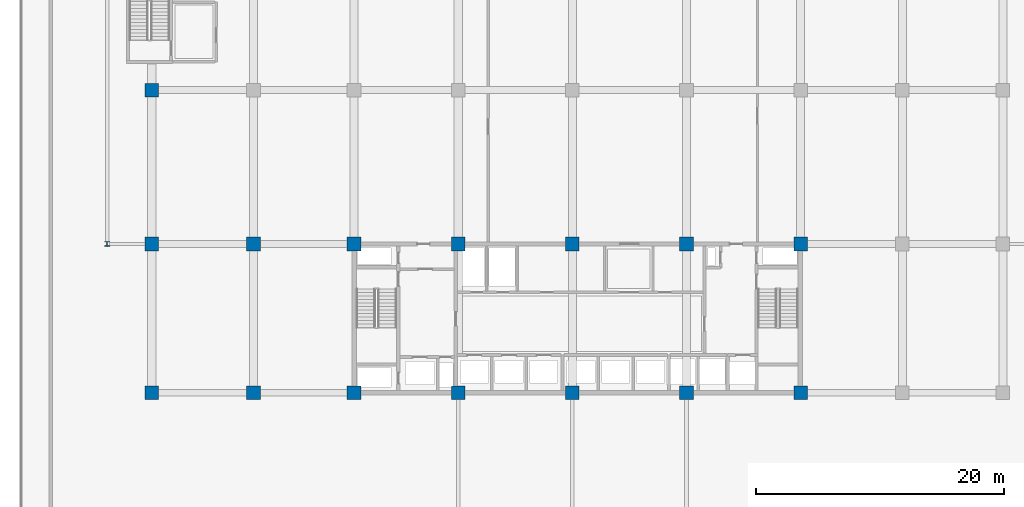
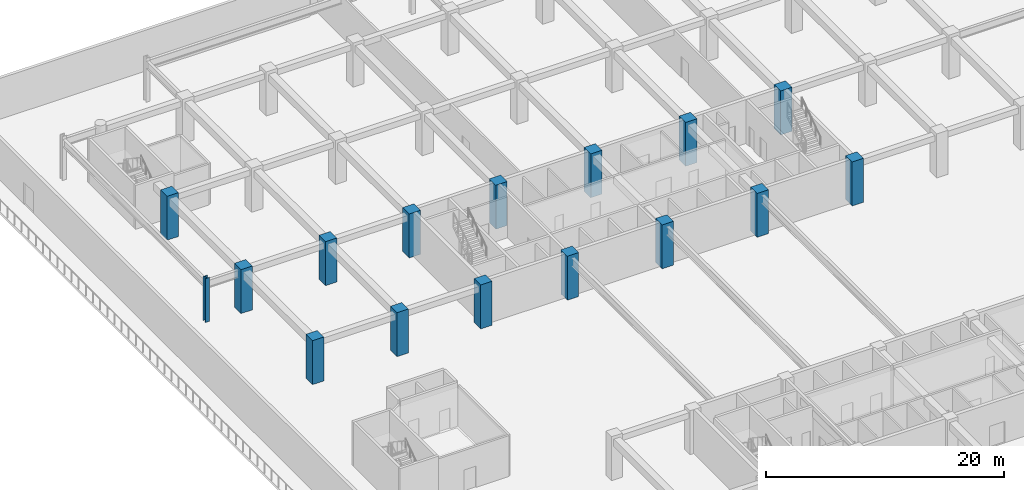
# One storey, part 4 of 40: 16 columns.
"""IFC4 building model written with IfcOpenShell, lengths in metres."""

from ifc_helpers import new_model, si_unit, direction, frame, origin, origin_2d, place, context, subcontext, project, spatial, rectangle, i_section, extrude, material, material_profile, profile_set, type_object, element, save


model = new_model("IFC4")

# Units and contexts
model_context = context("Model", 3, precision=1e-05, world=origin(), true_north=direction((0.0, 1.0)))
body_context = subcontext(model_context, "Body", "Model", "MODEL_VIEW")
ifc_project = project(units=[si_unit("LENGTHUNIT", "METRE"), si_unit("AREAUNIT", "SQUARE_METRE"), si_unit("VOLUMEUNIT", "CUBIC_METRE"), si_unit("PLANEANGLEUNIT", "RADIAN"), si_unit("MASSUNIT", "GRAM", prefix="KILO")], contexts=[model_context])

# Site, building, storey
site_placement = place(None, origin())
site = spatial("IfcSite", under=ifc_project, at=site_placement, CompositionType="ELEMENT")
building_placement = place(site_placement, origin())
building = spatial("IfcBuilding", under=site, at=building_placement, Name="Korimba Cascade Residences", CompositionType="ELEMENT")
storey_placement = place(building_placement, frame((0.0, 0.0, 14.5)))
storey = spatial("IfcBuildingStorey", under=building, at=storey_placement, Name="L03", CompositionType="ELEMENT", Elevation=14.5)

# Columns
ifc_material_1 = material(Name="Concrete C80/95", Category="concrete")
ifc_material_profile_1 = material_profile(ifc_material_1, rectangle(XDim=1.10009765625, YDim=1.10009765625, at=origin_2d()), Name="Concrete C80/95")
ifc_profile_set_1 = profile_set([ifc_material_profile_1], Name="Concrete C80/95")
column_type_1 = type_object("IfcColumnType", Name="COL-RC-1100", PredefinedType="COLUMN", material=ifc_profile_set_1)
for number, where, z_axis, x_axis, name in (
    (1, (59.800048828125, 55.199951171875, 0.0), (0.0, 0.0, 1.0), (1.0, 0.0, 0.0), "L03 Tower 1 Column 1.1"),
    (2, (59.800048828125, 67.199951171875, 0.0), (0.0, 0.0, 1.0), (1.0, 0.0, 0.0), "L03 Tower 1 Column 1.2"),
    (3, (59.800048828125, 79.60009765625, 0.0), (0.0, 0.0, 1.0), (1.0, 0.0, 0.0), "L03 Tower 1 Column 1.3"),
    (4, (68.0, 55.199951171875, 0.0), (0.0, 0.0, 1.0), (1.0, 0.0, 0.0), "L03 Tower 1 Column 2.1"),
    (5, (68.0, 67.199951171875, 0.0), (0.0, 0.0, 1.0), (1.0, 0.0, 0.0), "L03 Tower 1 Column 2.2"),
    (6, (76.10009765625, 55.199951171875, 0.0), (0.0, 0.0, 1.0), (1.0, 0.0, 0.0), "L03 Tower 1 Column 3.1"),
    (7, (76.10009765625, 67.199951171875, 0.0), (0.0, 0.0, 1.0), (1.0, 0.0, 0.0), "L03 Tower 1 Column 3.2"),
    (8, (84.5, 55.199951171875, 0.0), (0.0, 0.0, 1.0), (1.0, 0.0, 0.0), "L03 Tower 1 Column 4.1"),
    (9, (84.5, 67.199951171875, 0.0), (0.0, 0.0, 1.0), (1.0, 0.0, 0.0), "L03 Tower 1 Column 4.2"),
    (10, (93.699951171875, 55.199951171875, 0.0), (0.0, 0.0, 1.0), (1.0, 0.0, 0.0), "L03 Tower 1 Column 5.1"),
    (11, (93.699951171875, 67.199951171875, 0.0), (0.0, 0.0, 1.0), (1.0, 0.0, 0.0), "L03 Tower 1 Column 5.2"),
    (12, (102.89990234375, 55.199951171875, 0.0), (0.0, 0.0, 1.0), (1.0, 0.0, 0.0), "L03 Tower 1 Column 6.1"),
    (13, (102.89990234375, 67.199951171875, 0.0), (0.0, 0.0, 1.0), (1.0, 0.0, 0.0), "L03 Tower 1 Column 6.2"),
    (14, (112.10009765625, 55.199951171875, 0.0), (0.0, 0.0, 1.0), (1.0, 0.0, 0.0), "L03 Tower 1 Column 7.1"),
    (15, (112.10009765625, 67.199951171875, 0.0), (0.0, 0.0, 1.0), (1.0, 0.0, 0.0), "L03 Tower 1 Column 7.2"),
):
    element("IfcColumn", number, at=place(storey_placement, frame(where, z_axis=z_axis, x_axis=x_axis)), inside=storey, type_object=column_type_1, Name=name, PredefinedType="COLUMN", context=body_context, shape_type="SweptSolid", body=[
        extrude(rectangle(XDim=1.10009765625, YDim=1.10009765625, at=origin_2d()), origin(), (0.0, 0.0, 1.0), 4.5),
    ])
ifc_material_2 = material(Name="Steel S355", Category="steel")
ifc_material_profile_2 = material_profile(ifc_material_2, i_section(OverallWidth=0.39892578125, OverallDepth=0.3935546875, WebThickness=0.022705078125, FlangeThickness=0.03662109375, FilletRadius=0.01513671875, at=origin_2d()), Name="Steel S355")
ifc_profile_set_2 = profile_set([ifc_material_profile_2], Name="Steel S355")
column_type_2 = type_object("IfcColumnType", Name="COL-STL-UC287", PredefinedType="COLUMN", material=ifc_profile_set_2)
column_placement = place(storey_placement, frame((56.199951171875, 67.199951171875, 0.0), z_axis=(0.0, 0.0, 1.0), x_axis=(1.0, 0.0, 0.0)))
element("IfcColumn", 16, at=column_placement, inside=storey, type_object=column_type_2, Name="L03 Podium Column PCW3", PredefinedType="COLUMN", context=body_context, shape_type="SweptSolid", body=[
    extrude(i_section(OverallWidth=0.39892578125, OverallDepth=0.3935546875, WebThickness=0.022705078125, FlangeThickness=0.03662109375, FilletRadius=0.01513671875, at=origin_2d()), origin(), (0.0, 0.0, 1.0), 4.5),
])

save(model, "model.ifc")
